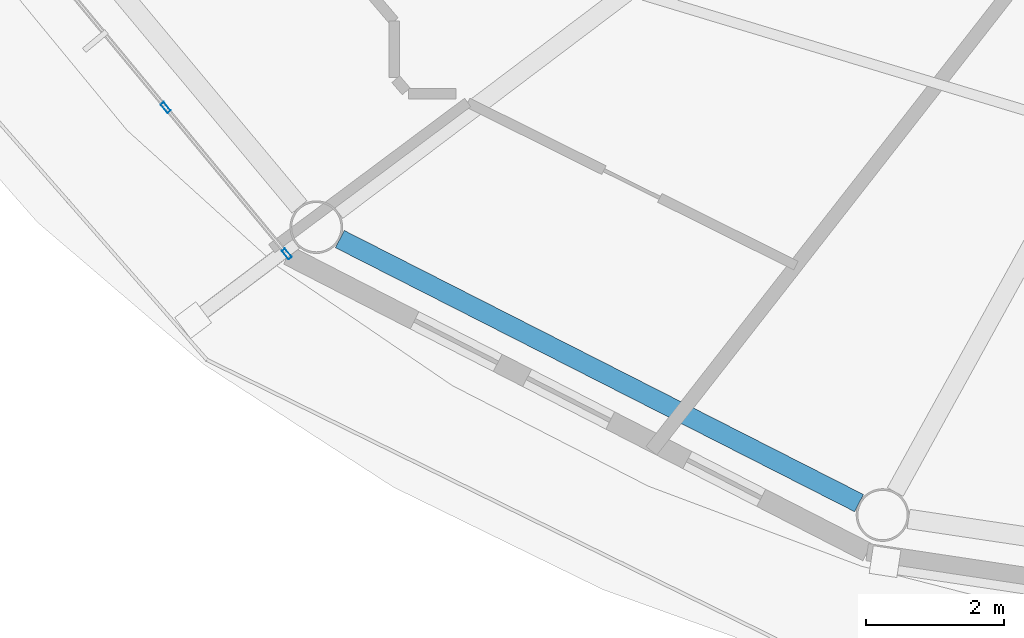
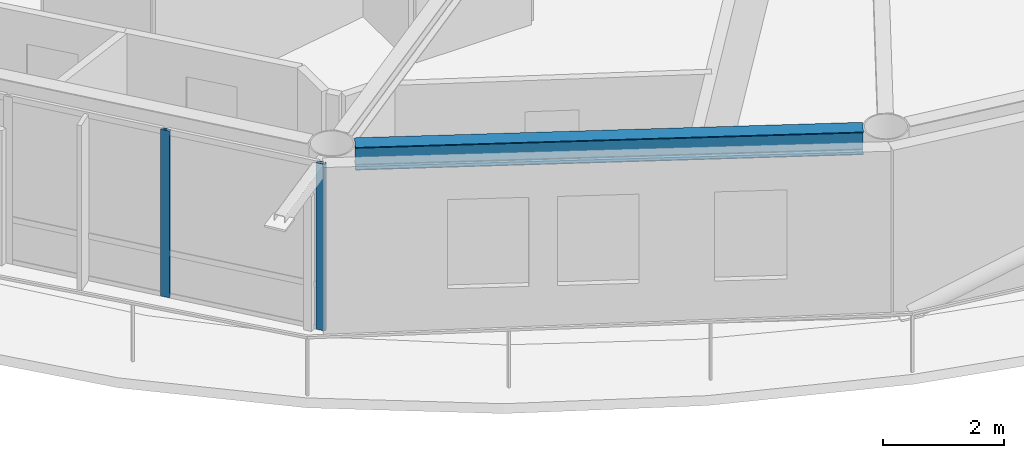
# One storey, part 2 of 22: 2 members, 1 beam, 1 element without a shape of its own.
"""IFC4 building model written with IfcOpenShell, lengths in metres."""

import ifcopenshell
import ifcopenshell.guid

model = None  # the IFC model being written
_history = None  # IfcOwnerHistory: only IFC2X3 demands one
_inside = {}  # id of a spatial element -> (the spatial element, [elements in it])
_under = {}  # id of a project, library or spatial element -> (it, [spatial elements below it])
_declared = {}  # id of a project -> (the project, [libraries it declares])
_typed = {}  # id of a type object -> (the type object, [elements of that type])
_made_of = {}  # id of a material, layer set ... -> (it, [elements and type objects made of it])


def new_model(schema):
    """Start an empty IFC model of exactly this schema.

    Asked for "IFC4X3", IfcOpenShell would pick the latest addendum, in which some entities
    have other attributes; the version numbers below select the first issue.
    IFC2X3 requires an IfcOwnerHistory on every rooted entity: one is made here for all.
    """
    global model, _history
    if schema == "IFC4X3":
        model = ifcopenshell.file(schema_version=(4, 3, 0, 0))
    else:
        model = ifcopenshell.file(schema=schema)
    _inside.clear()
    _under.clear()
    _declared.clear()
    _typed.clear()
    _made_of.clear()
    _history = None
    if model.schema == "IFC2X3":
        org = make("IfcOrganization", Name="unknown")
        user = make(
            "IfcPersonAndOrganization",
            ThePerson=make("IfcPerson", FamilyName="unknown"),
            TheOrganization=org,
        )
        app = make(
            "IfcApplication",
            ApplicationDeveloper=org,
            Version="unknown",
            ApplicationFullName="unknown",
            ApplicationIdentifier="unknown",
        )
        _history = make(
            "IfcOwnerHistory",
            OwningUser=user,
            OwningApplication=app,
            ChangeAction="ADDED",
            CreationDate=0,
        )
    return model


def make(cls, **values):
    """One entity of the class cls with the attributes given. An attribute that is None is left unset."""
    return model.create_entity(
        cls, **{name: value for name, value in values.items() if value is not None}
    )


def rooted(cls, **values):
    """An entity with a GlobalId (a new one), such as an element, a storey or a relation."""
    return make(cls, GlobalId=ifcopenshell.guid.new(), OwnerHistory=_history, **values)


def si_unit(unit_type, name, prefix=None):
    """IfcSIUnit, for example si_unit("LENGTHUNIT", "METRE", prefix="MILLI")."""
    return make("IfcSIUnit", UnitType=unit_type, Prefix=prefix, Name=name)


def assignment(units):
    """IfcUnitAssignment: the units of a project."""
    return None if units is None else make("IfcUnitAssignment", Units=units)


def point(xyz):
    """IfcCartesianPoint."""
    return None if xyz is None else make("IfcCartesianPoint", Coordinates=xyz)


def direction(xyz):
    """IfcDirection."""
    return None if xyz is None else make("IfcDirection", DirectionRatios=xyz)


def frame(location, z_axis=None, x_axis=None):
    """IfcAxis2Placement3D, a coordinate frame: its origin and axes. An axis left out is left unset."""
    return make(
        "IfcAxis2Placement3D",
        Location=point(location),
        Axis=direction(z_axis),
        RefDirection=direction(x_axis),
    )


def frame_2d(location, x_axis=None):
    """IfcAxis2Placement2D, a coordinate frame in the plane: its origin and x axis."""
    return make(
        "IfcAxis2Placement2D", Location=point(location), RefDirection=direction(x_axis)
    )


def origin():
    """The frame at (0, 0, 0) with its axes left unset."""
    return frame((0.0, 0.0, 0.0))


def origin_2d():
    """The frame at (0, 0) in the plane with its x axis left unset."""
    return frame_2d((0.0, 0.0))


def place(relative_to, where):
    """IfcLocalPlacement: puts the frame where relative to a parent placement (None: the world)."""
    return make(
        "IfcLocalPlacement", PlacementRelTo=relative_to, RelativePlacement=where
    )


def context(
    kind, dimensions, precision=None, world=None, true_north=None, identifier=None
):
    """IfcGeometricRepresentationContext, for example the 3D "Model" context."""
    return make(
        "IfcGeometricRepresentationContext",
        ContextIdentifier=identifier,
        ContextType=kind,
        CoordinateSpaceDimension=dimensions,
        Precision=precision,
        WorldCoordinateSystem=world,
        TrueNorth=true_north,
    )


def subcontext(parent, identifier, kind, view, scale=None):
    """IfcGeometricRepresentationSubContext, for example "Body" below "Model"."""
    return make(
        "IfcGeometricRepresentationSubContext",
        ContextIdentifier=identifier,
        ContextType=kind,
        ParentContext=parent,
        TargetScale=scale,
        TargetView=view,
    )


def project(units=None, contexts=None):
    """IfcProject with its units and contexts."""
    return rooted(
        "IfcProject",
        Name="project",
        RepresentationContexts=contexts,
        UnitsInContext=assignment(units),
    )


def spatial(cls, under=None, at=None, **own):
    """A site, building, storey or space (cls), placed at a placement, below another one or the project."""
    s = rooted(cls, ObjectPlacement=at, **own)
    if under is not None:
        _under.setdefault(under.id(), (under, []))[1].append(s)
    return s


def profile(cls, at=None, kind="AREA", **sizes):
    """A parametric profile (cls). Its sizes go by their IFC names, for example OverallWidth=200.0."""
    return make(cls, ProfileType=kind, Position=at, **sizes)


def hollow_rectangle(**sizes):
    """IfcRectangleHollowProfileDef."""
    return profile("IfcRectangleHollowProfileDef", **sizes)


def i_section(**sizes):
    """IfcIShapeProfileDef."""
    return profile("IfcIShapeProfileDef", **sizes)


def extrude(swept, where, along, depth):
    """IfcExtrudedAreaSolid: the profile swept, set in the frame where, extruded along a direction by depth."""
    return make(
        "IfcExtrudedAreaSolid",
        SweptArea=swept,
        Position=where,
        ExtrudedDirection=direction(along),
        Depth=depth,
    )


def shape(context_of_items, identifier, shape_type, items):
    """IfcShapeRepresentation: the items that make up one representation, for example the "Body"."""
    return make(
        "IfcShapeRepresentation",
        ContextOfItems=context_of_items,
        RepresentationIdentifier=identifier,
        RepresentationType=shape_type,
        Items=items,
    )


def material(Name=None, Category=None):
    """IfcMaterial."""
    return make("IfcMaterial", Name=Name, Category=Category)


def layer(
    of_material, thickness, ventilated=None, Name=None, Category=None, Priority=None
):
    """IfcMaterialLayer: one layer of a wall or slab, of a material (None: an air gap)."""
    return make(
        "IfcMaterialLayer",
        Material=of_material,
        LayerThickness=thickness,
        IsVentilated=ventilated,
        Name=Name,
        Category=Category,
        Priority=Priority,
    )


def layer_set(layers, Name=None):
    """IfcMaterialLayerSet."""
    return make("IfcMaterialLayerSet", MaterialLayers=layers, LayerSetName=Name)


def material_profile(
    of_material, cross_section, Name=None, Category=None, Priority=None
):
    """IfcMaterialProfile: a cross section and its material."""
    return make(
        "IfcMaterialProfile",
        Name=Name,
        Material=of_material,
        Profile=cross_section,
        Priority=Priority,
        Category=Category,
    )


def profile_set(profiles, Name=None, composite=None):
    """IfcMaterialProfileSet."""
    return make(
        "IfcMaterialProfileSet",
        Name=Name,
        MaterialProfiles=profiles,
        CompositeProfile=composite,
    )


def made_of(thing, what):
    """Note that an element or type object is made of a material, layer set ...; save() writes the relation."""
    if what is not None:
        _made_of.setdefault(what.id(), (what, []))[1].append(thing)
    return thing


def type_object(cls, material=None, **own):
    """A type object (cls), such as IfcWallType, which elements share."""
    return made_of(rooted(cls, **own), material)


def element(
    cls,
    number,
    at=None,
    inside=None,
    cuts=None,
    type_object=None,
    material=None,
    context=None,
    identifier="Body",
    shape_type=None,
    held_by="IfcProductDefinitionShape",
    body=None,
    shapes=None,
    **own,
):
    """One element of the class cls, such as IfcWall. Its Tag is "e" and its number.

    at: its placement. inside: the storey or other place that contains it. cuts: it is an
    opening in that element (IfcRelVoidsElement). A single representation is given by context,
    identifier, shape_type and body (its items); several are given by shapes. held_by: the class
    of the entity that holds the representations. save() writes the other relations.
    """
    e = rooted(cls, Tag="e%d" % number, ObjectPlacement=at, **own)
    if body is not None:
        shapes = [shape(context, identifier, shape_type, body)]
    if shapes is not None:
        e.Representation = make(held_by, Representations=shapes)
    if inside is not None:
        _inside.setdefault(inside.id(), (inside, []))[1].append(e)
    if cuts is not None:
        rooted(
            "IfcRelVoidsElement", RelatingBuildingElement=cuts, RelatedOpeningElement=e
        )
    if type_object is not None:
        _typed.setdefault(type_object.id(), (type_object, []))[1].append(e)
    return made_of(e, material)


def aggregate(whole, parts):
    """IfcRelAggregates: a whole, such as a stair, and the parts it consists of."""
    return rooted("IfcRelAggregates", RelatingObject=whole, RelatedObjects=parts)


def save(model, path):
    """Write the relations noted so far, then the file.

    IfcRelAggregates (storeys below a building ...), IfcRelContainedInSpatialStructure (elements
    in a storey), IfcRelDefinesByType, IfcRelAssociatesMaterial and IfcRelDeclares: one each for
    every whole, place, type object, material and project.
    """
    for whole, parts in _under.values():
        aggregate(whole, parts)
    for where, things in _inside.values():
        rooted(
            "IfcRelContainedInSpatialStructure",
            RelatedElements=things,
            RelatingStructure=where,
        )
    for kind, things in _typed.values():
        rooted("IfcRelDefinesByType", RelatedObjects=things, RelatingType=kind)
    for what, things in _made_of.values():
        rooted("IfcRelAssociatesMaterial", RelatedObjects=things, RelatingMaterial=what)
    for by, libraries in _declared.values():
        rooted("IfcRelDeclares", RelatingContext=by, RelatedDefinitions=libraries)
    model.write(path)


model = new_model("IFC4")

# Units and contexts
model_context = context("Model", 3, precision=1e-05, world=origin(), true_north=direction((0.0, 1.0)))
body_context = subcontext(model_context, "Body", "Model", "MODEL_VIEW")
ifc_project = project(units=[si_unit("LENGTHUNIT", "METRE"), si_unit("AREAUNIT", "SQUARE_METRE"), si_unit("VOLUMEUNIT", "CUBIC_METRE"), si_unit("PLANEANGLEUNIT", "RADIAN"), si_unit("MASSUNIT", "GRAM", prefix="KILO")], contexts=[model_context])

# Site, building, storey
site_placement = place(None, origin())
site = spatial("IfcSite", under=ifc_project, at=site_placement, CompositionType="ELEMENT")
building_placement = place(site_placement, origin())
building = spatial("IfcBuilding", under=site, at=building_placement, Name="Sarneth Arch Tower", CompositionType="ELEMENT")
storey_placement = place(building_placement, frame((0.0, 0.0, 287.39990234375)))
storey = spatial("IfcBuildingStorey", under=building, at=storey_placement, Name="L74", CompositionType="ELEMENT", Elevation=287.39990234375)

# Beam
ifc_material_1 = material(Name="Steel S355", Category="steel")
ifc_material_profile_1 = material_profile(ifc_material_1, i_section(OverallWidth=0.280029296875, OverallDepth=0.462890625, WebThickness=0.0107421875, FlangeThickness=0.017333984375, FilletRadius=0.01806640625, at=origin_2d()), Name="W460x113")
ifc_profile_set_1 = profile_set([ifc_material_profile_1], Name="Steel S355")
beam_type = type_object("IfcBeamType", Name="BM-RAD-460A", PredefinedType="BEAM", material=ifc_profile_set_1)
beam_placement = place(storey_placement, frame((30.364501953125, 28.250732421875, 3.138671875), z_axis=(0.891373613492, -0.453269325204, 0.0), x_axis=(0.453269325204, 0.891373613492, 0.0)))
element("IfcBeam", 1, at=beam_placement, inside=storey, type_object=beam_type, Name="L74 Perimeter spandrel beam 11", PredefinedType="BEAM", context=body_context, shape_type="SweptSolid", body=[
    extrude(i_section(OverallWidth=0.280029296875, OverallDepth=0.462890625, WebThickness=0.0107421875, FlangeThickness=0.017333984375, FilletRadius=0.01806640625, at=origin_2d()), origin(), (0.0, 0.0, 1.0), 8.419677734375),
])

# Curtain wall, members
ifc_material_2 = material(Name="Anodised aluminium Type AA25 and solar-control low-e laminated IGU", Category="aluminium")
ifc_layer = layer(ifc_material_2, 0.179931640625)
ifc_layer_set = layer_set([ifc_layer], Name="Anodised aluminium Type AA25 and solar-control low-e laminated IGU")
curtain_wall_type = type_object("IfcCurtainWallType", Name="CW-RES-HIGH", PredefinedType="NOTDEFINED", material=ifc_layer_set)
curtain_wall_placement = place(storey_placement, origin())
curtain_wall = element("IfcCurtainWall", 2, at=curtain_wall_placement, inside=storey, type_object=curtain_wall_type, Name="L74 Unitised curtain wall facet 10", PredefinedType="NOTDEFINED")
ifc_material_3 = material(Name="Anodised Aluminium 6063-T6", Category="aluminium")
ifc_material_profile_2 = material_profile(ifc_material_3, hollow_rectangle(XDim=0.06005859375, YDim=0.159912109375, WallThickness=0.00390625, at=origin_2d()), Name="AL-MULL-160x60x4")
ifc_profile_set_2 = profile_set([ifc_material_profile_2], Name="Anodised Aluminium 6063-T6")
member_type = type_object("IfcMemberType", Name="CW-MULLION", PredefinedType="MULLION", material=ifc_profile_set_2)
member_1_placement = place(storey_placement, frame((27.84716796875, 30.15234375, 0.0), z_axis=(0.0, 0.0, 1.0), x_axis=(0.770359245933, 0.637610094184, 0.0)))
member_1 = element("IfcMember", 3, at=member_1_placement, type_object=member_type, Name="CW-SYS-6 mullion 3", PredefinedType="MULLION", context=body_context, shape_type="SweptSolid", body=[
    extrude(hollow_rectangle(XDim=0.06005859375, YDim=0.159912109375, WallThickness=0.00390625, at=origin_2d()), origin(), (0.0, 0.0, 1.0), 3.3701171875),
])
member_2_placement = place(storey_placement, frame((29.598388671875, 28.03662109375, 0.0), z_axis=(0.0, 0.0, 1.0), x_axis=(0.770359245933, 0.637610094184, 0.0)))
member_2 = element("IfcMember", 4, at=member_2_placement, type_object=member_type, Name="CW-SYS-6 mullion 4", PredefinedType="MULLION", context=body_context, shape_type="SweptSolid", body=[
    extrude(hollow_rectangle(XDim=0.06005859375, YDim=0.159912109375, WallThickness=0.00390625, at=origin_2d()), origin(), (0.0, 0.0, 1.0), 3.3701171875),
])
aggregate(curtain_wall, [member_1, member_2])

save(model, "model.ifc")
